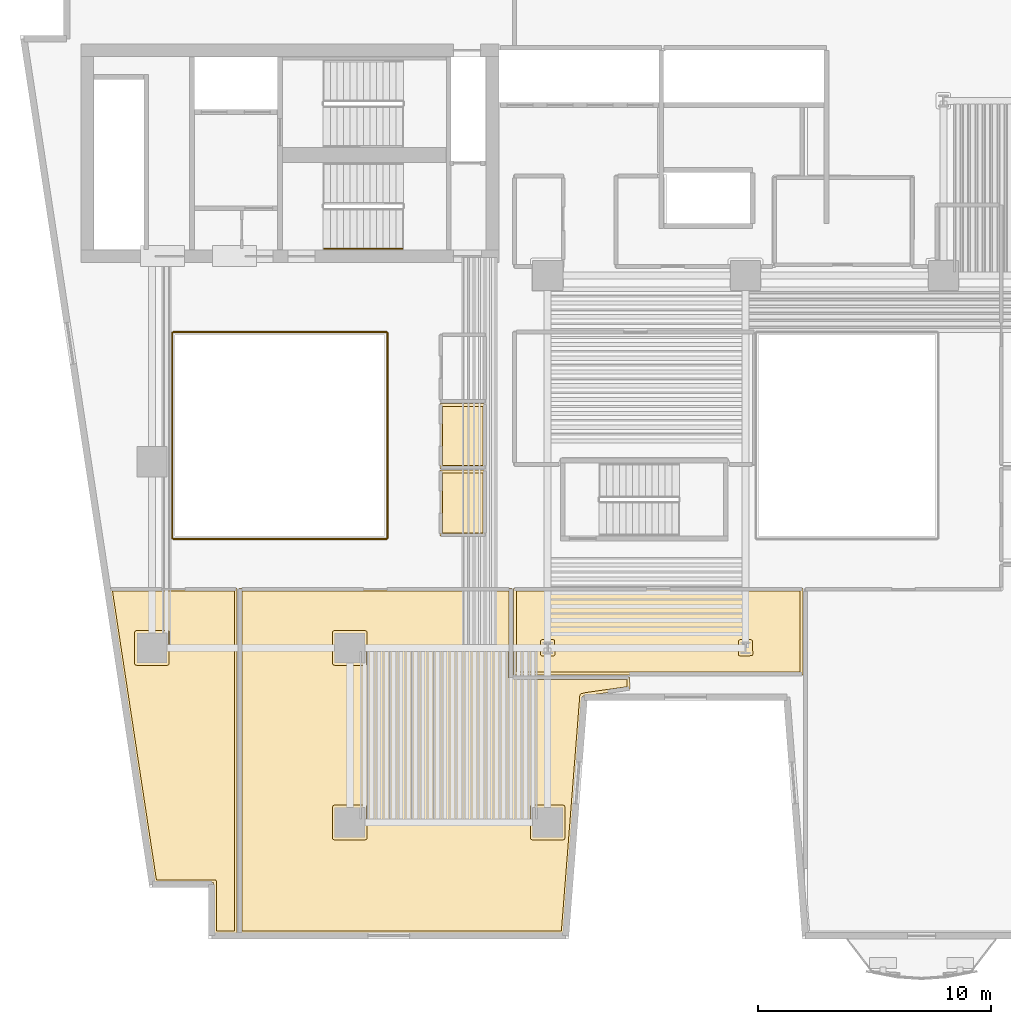
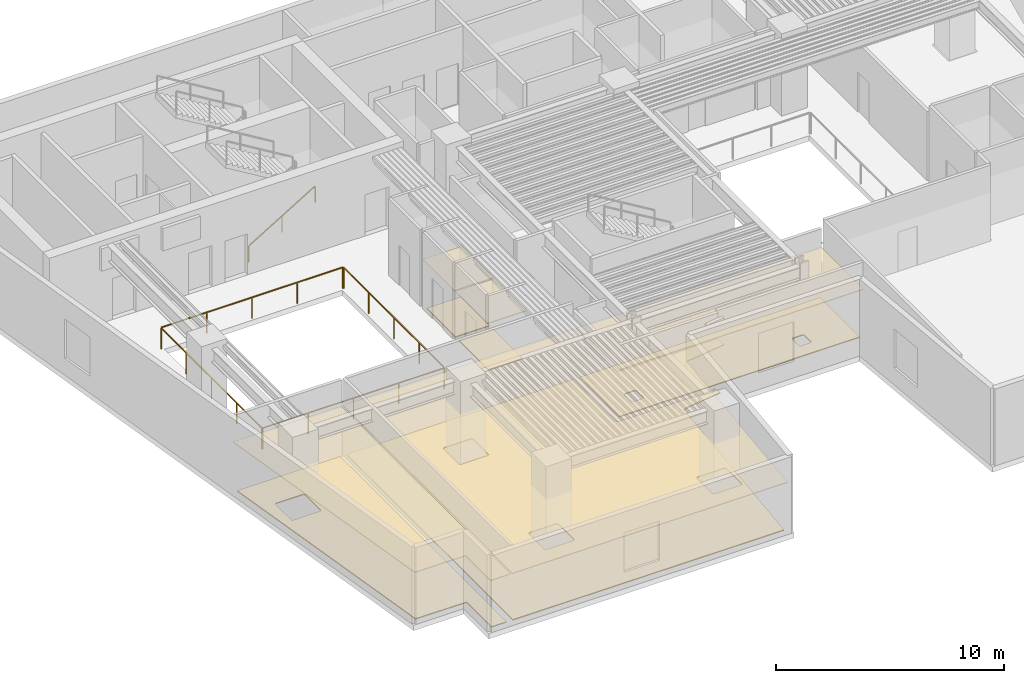
# One storey, part 8 of 12: 10 coverings, 5 railings.
"""IFC4 building model written with IfcOpenShell, lengths in metres."""

from ifc_helpers import new_model, si_unit, direction, frame, origin, origin_2d, place, context, subcontext, project, spatial, polyline, rectangle, outline, extrude, material, layer, layer_set, type_object, element, save


model = new_model("IFC4")

# Units and contexts
model_context = context("Model", 3, precision=1e-05, world=origin(), true_north=direction((0.0, 1.0)))
body_context = subcontext(model_context, "Body", "Model", "MODEL_VIEW")
ifc_project = project(units=[si_unit("LENGTHUNIT", "METRE"), si_unit("AREAUNIT", "SQUARE_METRE"), si_unit("VOLUMEUNIT", "CUBIC_METRE"), si_unit("PLANEANGLEUNIT", "RADIAN"), si_unit("MASSUNIT", "GRAM", prefix="KILO")], contexts=[model_context])

# Site, building, storey
site_placement = place(None, origin())
site = spatial("IfcSite", under=ifc_project, at=site_placement, CompositionType="ELEMENT")
building_placement = place(site_placement, origin())
building = spatial("IfcBuilding", under=site, at=building_placement, Name="Caeloran Harvest Quay", CompositionType="ELEMENT")
storey_placement = place(building_placement, frame((0.0, 0.0, 93.0)))
storey = spatial("IfcBuildingStorey", under=building, at=storey_placement, Name="L21", CompositionType="ELEMENT", Elevation=93.0)

# Coverings
ifc_material_1 = material(Name="Perforated Mineral-Fibre Acoustic Ceiling Tile", Category="ceiling")
ifc_layer_1 = layer(ifc_material_1, 0.0400390625, Name="Perforated Mineral-Fibre Acoustic Ceiling Tile")
ifc_layer_set_1 = layer_set([ifc_layer_1], Name="Perforated Mineral-Fibre Acoustic Ceiling Tile")
covering_type_1 = type_object("IfcCoveringType", Name="COV-CEILING-ACOUSTIC", PredefinedType="CEILING", material=ifc_layer_set_1)
covering_1_placement = place(storey_placement, frame((0.0, 0.0, 2.60009765625)))
element("IfcCovering", 1, at=covering_1_placement, inside=storey, type_object=covering_type_1, Name="L21 Female Washroom WC Acoustic Ceiling", PredefinedType="CEILING", context=body_context, shape_type="SweptSolid", body=[
    extrude(outline(polyline([(22.840087890625, 22.7099609375), (20.8701171875, 22.7099609375), (20.8701171875, 25.489990234375), (22.840087890625, 25.489990234375), (22.840087890625, 22.7099609375)])), origin(), (0.0, 0.0, 1.0), 0.039794921875),
])
covering_2_placement = place(storey_placement, frame((0.0, 0.0, 2.60009765625)))
element("IfcCovering", 2, at=covering_2_placement, inside=storey, type_object=covering_type_1, Name="L21 Accessible Unisex Washroom WC Acoustic Ceiling", PredefinedType="CEILING", context=body_context, shape_type="SweptSolid", body=[
    extrude(outline(polyline([(22.840087890625, 19.81005859375), (20.8701171875, 19.81005859375), (20.8701171875, 22.639892578125), (22.840087890625, 22.639892578125), (22.840087890625, 19.81005859375)])), origin(), (0.0, 0.0, 1.0), 0.039794921875),
])
covering_3_placement = place(storey_placement, frame((0.0, 0.0, 2.60009765625)))
element("IfcCovering", 3, at=covering_3_placement, inside=storey, type_object=covering_type_1, Name="Executive Agronomy Design Studio Acoustic Ceiling", PredefinedType="CEILING", context=body_context, shape_type="SweptSolid", body=[
    extrude(outline(polyline([(29.0078125, 13.760009765625), (29.047607421875, 13.2294921875), (27.3232421875, 12.969970703125), (27.18115234375, 12.968994140625), (26.99560546875, 12.920654296875), (26.199462890625, 2.719970703125), (12.239990234375, 2.719970703125), (12.239990234375, 17.56005859375), (23.9599609375, 17.56005859375), (23.9599609375, 13.760009765625), (29.0078125, 13.760009765625)])), origin(), (0.0, 0.0, 1.0), 0.039794921875),
])
covering_4_placement = place(storey_placement, frame((0.0, 0.0, 2.60009765625)))
element("IfcCovering", 4, at=covering_4_placement, inside=storey, type_object=covering_type_1, Name="Regional Food Policy Boardroom Acoustic Ceiling", PredefinedType="CEILING", context=body_context, shape_type="SweptSolid", body=[
    extrude(outline(polyline([(12.159912109375, 2.719970703125), (11.156982421875, 2.719970703125), (11.156982421875, 4.919921875), (8.59130859375, 4.919921875), (6.668701171875, 17.56005859375), (12.159912109375, 17.56005859375), (12.159912109375, 2.719970703125)])), origin(), (0.0, 0.0, 1.0), 0.039794921875),
])
covering_5_placement = place(storey_placement, frame((0.0, 0.0, 2.60009765625)))
element("IfcCovering", 5, at=covering_5_placement, inside=storey, type_object=covering_type_1, Name="Client Briefing Conference Room Acoustic Ceiling", PredefinedType="CEILING", context=body_context, shape_type="SweptSolid", body=[
    extrude(outline(polyline([(36.4599609375, 13.840087890625), (24.0400390625, 13.840087890625), (24.0400390625, 17.56005859375), (36.4599609375, 17.56005859375), (36.4599609375, 13.840087890625)])), origin(), (0.0, 0.0, 1.0), 0.039794921875),
])
ifc_material_2 = material(Name="Calcium-Sulphate Raised Access Floor and Terrazzo Finish", Category="flooring")
ifc_layer_2 = layer(ifc_material_2, 0.050048828125, Name="Calcium-Sulphate Raised Access Floor and Terrazzo Finish")
ifc_layer_set_2 = layer_set([ifc_layer_2], Name="Calcium-Sulphate Raised Access Floor and Terrazzo Finish")
covering_type_2 = type_object("IfcCoveringType", Name="COV-FLOOR-RAISED", PredefinedType="FLOORING", material=ifc_layer_set_2)
covering_6_placement = place(storey_placement, origin())
element("IfcCovering", 6, at=covering_6_placement, inside=storey, type_object=covering_type_2, Name="L21 Female Washroom WC Raised Finish Flooring", PredefinedType="FLOORING", context=body_context, shape_type="SweptSolid", body=[
    extrude(outline(polyline([(22.719970703125, 22.830078125), (20.989990234375, 22.830078125), (20.989990234375, 25.3701171875), (22.719970703125, 25.3701171875), (22.719970703125, 22.830078125)])), origin(), (0.0, 0.0, 1.0), 0.050048828125),
])
covering_7_placement = place(storey_placement, origin())
element("IfcCovering", 7, at=covering_7_placement, inside=storey, type_object=covering_type_2, Name="L21 Accessible Unisex Washroom WC Raised Finish Flooring", PredefinedType="FLOORING", context=body_context, shape_type="SweptSolid", body=[
    extrude(outline(polyline([(22.719970703125, 19.929931640625), (20.989990234375, 19.929931640625), (20.989990234375, 22.52001953125), (22.719970703125, 22.52001953125), (22.719970703125, 19.929931640625)])), origin(), (0.0, 0.0, 1.0), 0.050048828125),
])
covering_8_placement = place(storey_placement, origin())
element("IfcCovering", 8, at=covering_8_placement, inside=storey, type_object=covering_type_2, Name="Executive Agronomy Design Studio Raised Finish Flooring", PredefinedType="FLOORING", context=body_context, shape_type="SweptSolid", body=[
    extrude(outline(polyline([(23.840087890625, 17.43994140625), (23.840087890625, 13.719970703125), (23.869140625, 13.658203125), (28.896484375, 13.639892578125), (28.91943359375, 13.33154296875), (27.1396484375, 13.083984375), (26.92431640625, 13.028076171875), (26.881103515625, 12.976806640625), (26.08837890625, 2.840087890625), (12.360107421875, 2.840087890625), (12.360107421875, 17.43994140625), (23.840087890625, 17.43994140625)]), holes=[polyline([(26.2451171875, 8.1650390625), (26.2216796875, 8.2216796875), (26.1650390625, 8.2451171875), (24.8349609375, 8.2451171875), (24.7783203125, 8.2216796875), (24.7548828125, 8.1650390625), (24.7548828125, 6.8349609375), (24.7783203125, 6.7783203125), (24.8349609375, 6.7548828125), (26.1650390625, 6.7548828125), (26.2216796875, 6.7783203125), (26.2451171875, 6.8349609375), (26.2451171875, 8.1650390625)]), polyline([(16.3349609375, 8.2451171875), (16.2783203125, 8.2216796875), (16.2548828125, 8.1650390625), (16.2548828125, 6.8349609375), (16.2783203125, 6.7783203125), (16.3349609375, 6.7548828125), (17.6650390625, 6.7548828125), (17.7216796875, 6.7783203125), (17.7451171875, 6.8349609375), (17.7451171875, 8.1650390625), (17.7216796875, 8.2216796875), (17.6650390625, 8.2451171875), (16.3349609375, 8.2451171875)]), polyline([(17.7451171875, 15.6650390625), (17.7216796875, 15.7216796875), (17.6650390625, 15.7451171875), (16.3349609375, 15.7451171875), (16.2783203125, 15.7216796875), (16.2548828125, 15.6650390625), (16.2548828125, 14.3349609375), (16.2783203125, 14.2783203125), (16.3349609375, 14.2548828125), (17.6650390625, 14.2548828125), (17.7216796875, 14.2783203125), (17.7451171875, 14.3349609375), (17.7451171875, 15.6650390625)])]), origin(), (0.0, 0.0, 1.0), 0.050048828125),
])
covering_9_placement = place(storey_placement, origin())
element("IfcCovering", 9, at=covering_9_placement, inside=storey, type_object=covering_type_2, Name="Regional Food Policy Boardroom Raised Finish Flooring", PredefinedType="FLOORING", context=body_context, shape_type="SweptSolid", body=[
    extrude(outline(polyline([(12.0400390625, 17.43994140625), (12.0400390625, 2.840087890625), (11.277099609375, 2.840087890625), (11.277099609375, 4.9599609375), (11.247802734375, 5.021728515625), (8.694580078125, 5.0400390625), (6.80810546875, 17.43994140625), (12.0400390625, 17.43994140625)]), holes=[polyline([(9.2451171875, 15.6650390625), (9.2216796875, 15.7216796875), (9.1650390625, 15.7451171875), (7.8349609375, 15.7451171875), (7.7783203125, 15.7216796875), (7.7548828125, 15.6650390625), (7.7548828125, 14.3349609375), (7.7783203125, 14.2783203125), (7.8349609375, 14.2548828125), (9.1650390625, 14.2548828125), (9.2216796875, 14.2783203125), (9.2451171875, 14.3349609375), (9.2451171875, 15.6650390625)])]), origin(), (0.0, 0.0, 1.0), 0.050048828125),
])
covering_10_placement = place(storey_placement, origin())
element("IfcCovering", 10, at=covering_10_placement, inside=storey, type_object=covering_type_2, Name="Client Briefing Conference Room Raised Finish Flooring", PredefinedType="FLOORING", context=body_context, shape_type="SweptSolid", body=[
    extrude(outline(polyline([(24.159912109375, 17.43994140625), (36.340087890625, 17.43994140625), (36.340087890625, 13.9599609375), (24.159912109375, 13.9599609375), (24.159912109375, 17.43994140625)]), holes=[polyline([(33.7666015625, 15.35205078125), (33.7099609375, 15.32861328125), (33.68701171875, 15.27978515625), (33.70458984375, 14.67724609375), (33.7666015625, 14.64794921875), (34.2841796875, 14.666259765625), (34.3134765625, 14.72802734375), (34.29541015625, 15.32275390625), (34.2412109375, 15.3515625), (33.7666015625, 15.35205078125)]), polyline([(25.8134765625, 14.72802734375), (25.79541015625, 15.32275390625), (25.7412109375, 15.3515625), (25.2666015625, 15.35205078125), (25.2099609375, 15.32861328125), (25.1865234375, 15.27197265625), (25.1865234375, 14.72802734375), (25.2099609375, 14.67138671875), (25.2666015625, 14.64794921875), (25.7333984375, 14.64794921875), (25.7900390625, 14.67138671875), (25.8134765625, 14.72802734375)])]), origin(), (0.0, 0.0, 1.0), 0.050048828125),
])

# Railings
ifc_material_3 = material(Name="Powder-Coated Steel Post and Laminated Glass Guardrail", Category="steel")
ifc_layer_3 = layer(ifc_material_3, 0.06005859375, Name="Powder-Coated Steel Post and Laminated Glass Guardrail")
ifc_layer_set_3 = layer_set([ifc_layer_3], Name="Powder-Coated Steel Post and Laminated Glass Guardrail")
railing_type_1 = type_object("IfcRailingType", Name="GUARD-ATRIUM-1150", PredefinedType="GUARDRAIL", material=ifc_layer_set_3)
railing_1_placement = place(storey_placement, frame((9.412109375, 19.679931640625, 0.0)))
element("IfcRailing", 11, at=railing_1_placement, inside=storey, type_object=railing_type_1, Name="L21 Skylit Atrium Void Perimeter Guardrail Seg 1", PredefinedType="GUARDRAIL", context=body_context, shape_type="SweptSolid", body=[
    extrude(rectangle(XDim=0.048095703125, YDim=0.048095703125, at=origin_2d()), frame((0.0, 0.0, 1.1259765625), z_axis=(1.0, 0.0, 0.0), x_axis=(0.0, 1.0, 0.0)), (0.0, 0.0, 1.0), 9.17578125),
    extrude(rectangle(XDim=0.0419921875, YDim=0.0419921875, at=origin_2d()), origin(), (0.0, 0.0, 1.0), 1.101806640625),
    extrude(rectangle(XDim=0.0419921875, YDim=0.0419921875, at=origin_2d()), frame((2.2939453125, 0.0, 0.0)), (0.0, 0.0, 1.0), 1.101806640625),
    extrude(rectangle(XDim=0.0419921875, YDim=0.0419921875, at=origin_2d()), frame((4.587890625, 0.0, 0.0)), (0.0, 0.0, 1.0), 1.101806640625),
    extrude(rectangle(XDim=0.0419921875, YDim=0.0419921875, at=origin_2d()), frame((6.8818359375, 0.0, 0.0)), (0.0, 0.0, 1.0), 1.101806640625),
    extrude(rectangle(XDim=0.0419921875, YDim=0.0419921875, at=origin_2d()), frame((9.17578125, 0.0, 0.0)), (0.0, 0.0, 1.0), 1.101806640625),
])
railing_2_placement = place(storey_placement, frame((18.6201171875, 19.7119140625, 0.0)))
element("IfcRailing", 12, at=railing_2_placement, inside=storey, type_object=railing_type_1, Name="L21 Skylit Atrium Void Perimeter Guardrail Seg 2", PredefinedType="GUARDRAIL", context=body_context, shape_type="SweptSolid", body=[
    extrude(rectangle(XDim=0.048095703125, YDim=0.048095703125, at=origin_2d()), frame((0.0, 0.0, 1.1259765625), z_axis=(0.0, 1.0, 0.0), x_axis=(-1.0, 0.0, 0.0)), (0.0, 0.0, 1.0), 8.826171875),
    extrude(rectangle(XDim=0.0419921875, YDim=0.0419921875, at=origin_2d()), origin(), (0.0, 0.0, 1.0), 1.101806640625),
    extrude(rectangle(XDim=0.0419921875, YDim=0.0419921875, at=origin_2d()), frame((0.0, 2.20654296875, 0.0)), (0.0, 0.0, 1.0), 1.101806640625),
    extrude(rectangle(XDim=0.0419921875, YDim=0.0419921875, at=origin_2d()), frame((0.0, 4.4130859375, 0.0)), (0.0, 0.0, 1.0), 1.101806640625),
    extrude(rectangle(XDim=0.0419921875, YDim=0.0419921875, at=origin_2d()), frame((0.0, 6.61962890625, 0.0)), (0.0, 0.0, 1.0), 1.101806640625),
    extrude(rectangle(XDim=0.0419921875, YDim=0.0419921875, at=origin_2d()), frame((0.0, 8.826171875, 0.0)), (0.0, 0.0, 1.0), 1.101806640625),
])
railing_3_placement = place(storey_placement, frame((18.587890625, 28.570068359375, 0.0)))
element("IfcRailing", 13, at=railing_3_placement, inside=storey, type_object=railing_type_1, Name="L21 Skylit Atrium Void Perimeter Guardrail Seg 3", PredefinedType="GUARDRAIL", context=body_context, shape_type="SweptSolid", body=[
    extrude(rectangle(XDim=0.048095703125, YDim=0.048095703125, at=origin_2d()), frame((0.0, 0.0, 1.1259765625), z_axis=(-1.0, 0.0, 0.0), x_axis=(0.0, -1.0, 0.0)), (0.0, 0.0, 1.0), 9.17578125),
    extrude(rectangle(XDim=0.0419921875, YDim=0.0419921875, at=origin_2d()), origin(), (0.0, 0.0, 1.0), 1.101806640625),
    extrude(rectangle(XDim=0.0419921875, YDim=0.0419921875, at=origin_2d()), frame((-2.2939453125, 0.0, 0.0)), (0.0, 0.0, 1.0), 1.101806640625),
    extrude(rectangle(XDim=0.0419921875, YDim=0.0419921875, at=origin_2d()), frame((-4.587890625, 0.0, 0.0)), (0.0, 0.0, 1.0), 1.101806640625),
    extrude(rectangle(XDim=0.0419921875, YDim=0.0419921875, at=origin_2d()), frame((-6.8818359375, 0.0, 0.0)), (0.0, 0.0, 1.0), 1.101806640625),
    extrude(rectangle(XDim=0.0419921875, YDim=0.0419921875, at=origin_2d()), frame((-9.17578125, 0.0, 0.0)), (0.0, 0.0, 1.0), 1.101806640625),
])
railing_4_placement = place(storey_placement, frame((9.3798828125, 28.5380859375, 0.0)))
element("IfcRailing", 14, at=railing_4_placement, inside=storey, type_object=railing_type_1, Name="L21 Skylit Atrium Void Perimeter Guardrail Seg 4", PredefinedType="GUARDRAIL", context=body_context, shape_type="SweptSolid", body=[
    extrude(rectangle(XDim=0.048095703125, YDim=0.048095703125, at=origin_2d()), frame((0.0, 0.0, 1.1259765625), z_axis=(0.0, -1.0, 0.0), x_axis=(1.0, 0.0, 0.0)), (0.0, 0.0, 1.0), 8.826171875),
    extrude(rectangle(XDim=0.0419921875, YDim=0.0419921875, at=origin_2d()), origin(), (0.0, 0.0, 1.0), 1.101806640625),
    extrude(rectangle(XDim=0.0419921875, YDim=0.0419921875, at=origin_2d()), frame((0.0, -2.20654296875, 0.0)), (0.0, 0.0, 1.0), 1.101806640625),
    extrude(rectangle(XDim=0.0419921875, YDim=0.0419921875, at=origin_2d()), frame((0.0, -4.4130859375, 0.0)), (0.0, 0.0, 1.0), 1.101806640625),
    extrude(rectangle(XDim=0.0419921875, YDim=0.0419921875, at=origin_2d()), frame((0.0, -6.61962890625, 0.0)), (0.0, 0.0, 1.0), 1.101806640625),
    extrude(rectangle(XDim=0.0419921875, YDim=0.0419921875, at=origin_2d()), frame((0.0, -8.826171875, 0.0)), (0.0, 0.0, 1.0), 1.101806640625),
])
ifc_material_4 = material(Name="Brushed Stainless Steel Grade 304", Category="steel")
ifc_layer_4 = layer(ifc_material_4, 0.050048828125, Name="Brushed Stainless Steel Grade 304")
ifc_layer_set_4 = layer_set([ifc_layer_4], Name="Brushed Stainless Steel Grade 304")
railing_type_2 = type_object("IfcRailingType", Name="STAIR-HANDRAIL-900", PredefinedType="HANDRAIL", material=ifc_layer_set_4)
railing_5_placement = place(storey_placement, frame((15.89990234375, 32.14990234375, 0.169189453125)))
element("IfcRailing", 15, at=railing_5_placement, inside=storey, type_object=railing_type_2, Name="L21 ST-C2 stair handrail 1", PredefinedType="HANDRAIL", context=body_context, shape_type="SweptSolid", body=[
    extrude(rectangle(XDim=0.048095703125, YDim=0.048095703125, at=origin_2d()), frame((0.0, 0.0, 0.8759765625), z_axis=(0.855836976705, 0.0, 0.517245656632), x_axis=(0.0, 1.0, 0.0)), (0.0, 0.0, 1.0), 3.926025390625),
    extrude(rectangle(XDim=0.0419921875, YDim=0.0419921875, at=origin_2d()), origin(), (0.0, 0.0, 1.0), 0.851806640625),
    extrude(rectangle(XDim=0.0419921875, YDim=0.0419921875, at=origin_2d()), frame((1.68017578125, 0.0, 1.015380859375)), (0.0, 0.0, 1.0), 0.851806640625),
    extrude(rectangle(XDim=0.0419921875, YDim=0.0419921875, at=origin_2d()), frame((3.360107421875, 0.0, 2.03076171875)), (0.0, 0.0, 1.0), 0.851806640625),
])

save(model, "model.ifc")
